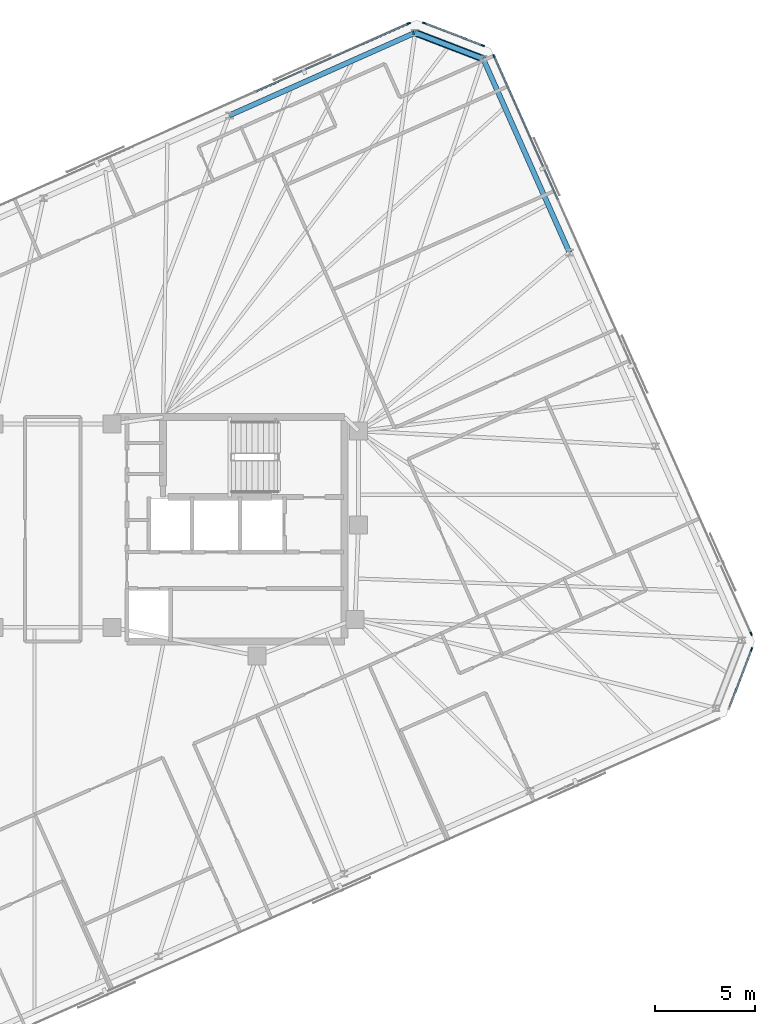
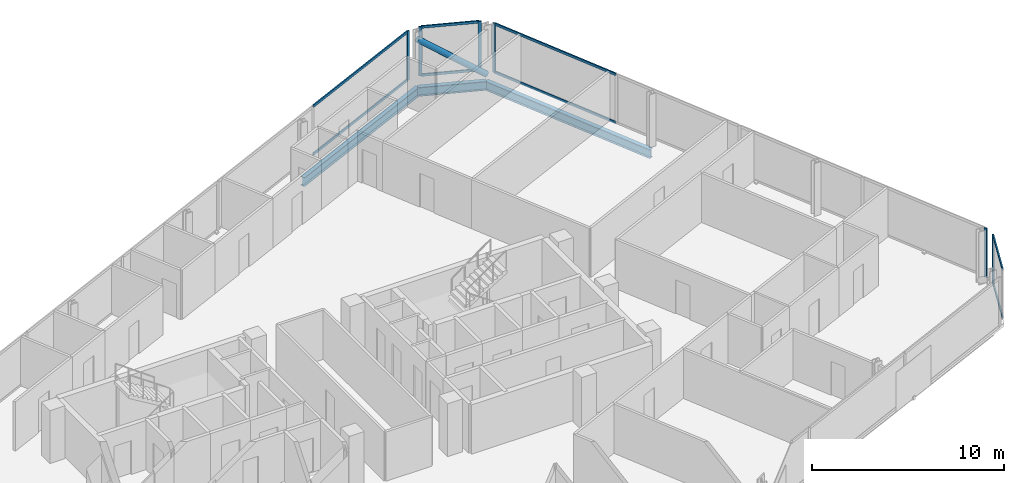
# One storey, part 11 of 18: 15 members, 3 beams, 4 elements without a shape of their own.
"""IFC4 building model written with IfcOpenShell, lengths in metres."""

from ifc_helpers import new_model, si_unit, direction, frame, origin, origin_2d, place, context, subcontext, project, spatial, rectangle, hollow_circle, i_section, extrude, material, material_profile, profile_set, type_object, element, aggregate, save


model = new_model("IFC4")

# Units and contexts
model_context = context("Model", 3, precision=1e-05, world=origin(), true_north=direction((0.0, 1.0)))
body_context = subcontext(model_context, "Body", "Model", "MODEL_VIEW")
ifc_project = project(units=[si_unit("LENGTHUNIT", "METRE"), si_unit("AREAUNIT", "SQUARE_METRE"), si_unit("VOLUMEUNIT", "CUBIC_METRE"), si_unit("PLANEANGLEUNIT", "RADIAN"), si_unit("MASSUNIT", "GRAM", prefix="KILO")], contexts=[model_context])

# Site, building, storey
site_placement = place(None, origin())
site = spatial("IfcSite", under=ifc_project, at=site_placement, CompositionType="ELEMENT")
building_placement = place(site_placement, origin())
building = spatial("IfcBuilding", under=site, at=building_placement, Name="Menara Jurai Vektor", CompositionType="ELEMENT")
storey_placement = place(building_placement, frame((0.0, 0.0, 298.64990234375)))
storey = spatial("IfcBuildingStorey", under=building, at=storey_placement, Name="L80", CompositionType="ELEMENT", Elevation=298.64990234375)

# Curtain wall, member
ifc_material_1 = material(Name="Anodised Pale Aluminium & Low-E Double Glazing", Category="aluminium")
curtain_wall_type = type_object("IfcCurtainWallType", Name="CW-BLK5", PredefinedType="NOTDEFINED", material=ifc_material_1)
curtain_wall_1_placement = place(storey_placement, origin())
curtain_wall_1 = element("IfcCurtainWall", 1, at=curtain_wall_1_placement, inside=storey, type_object=curtain_wall_type, Name="Unitised Curtain Wall L80 F02", PredefinedType="NOTDEFINED")
ifc_material_2 = material(Name="Anodised Pale Aluminium Mullion", Category="aluminium")
ifc_material_profile_1 = material_profile(ifc_material_2, rectangle(XDim=0.074951171875, YDim=0.175048828125, at=origin_2d()), Name="ALU MUL 75x175")
ifc_profile_set_1 = profile_set([ifc_material_profile_1], Name="Anodised Pale Aluminium Mullion")
member_type_1 = type_object("IfcMemberType", Name="CW-BLK5-MUL", PredefinedType="MULLION", material=ifc_profile_set_1)
member_1_placement = place(storey_placement, frame((34.87548828125, -5.997314453125, 0.0), z_axis=(0.0, 0.0, 1.0), x_axis=(-0.933578193639, 0.358373766287, 0.0)))
member_1 = element("IfcMember", 2, at=member_1_placement, type_object=member_type_1, Name="CW-05 mullion 2", PredefinedType="MULLION", context=body_context, shape_type="SweptSolid", body=[
    extrude(rectangle(XDim=0.074951171875, YDim=0.175048828125, at=origin_2d()), origin(), (0.0, 0.0, 1.0), 3.125),
])

# Curtain wall, members
curtain_wall_2_placement = place(storey_placement, origin())
curtain_wall_2 = element("IfcCurtainWall", 3, at=curtain_wall_2_placement, inside=storey, type_object=curtain_wall_type, Name="Unitised Curtain Wall L80 F03", PredefinedType="NOTDEFINED")
member_2_placement = place(storey_placement, frame((34.85546875, -5.22607421875, 0.0), z_axis=(0.0, 0.0, 1.0), x_axis=(-0.913546127706, -0.406735138086, 0.0)))
member_2 = element("IfcMember", 4, at=member_2_placement, type_object=member_type_1, Name="CW-05 mullion 1", PredefinedType="MULLION", context=body_context, shape_type="SweptSolid", body=[
    extrude(rectangle(XDim=0.074951171875, YDim=0.175048828125, at=origin_2d()), origin(), (0.0, 0.0, 1.0), 3.125),
])
member_3_placement = place(storey_placement, frame((22.016845703125, 23.610107421875, 0.0), z_axis=(0.0, 0.0, 1.0), x_axis=(-0.913546127706, -0.406735138086, 0.0)))
member_3 = element("IfcMember", 5, at=member_3_placement, type_object=member_type_1, Name="CW-05 mullion 5", PredefinedType="MULLION", context=body_context, shape_type="SweptSolid", body=[
    extrude(rectangle(XDim=0.074951171875, YDim=0.175048828125, at=origin_2d()), origin(), (0.0, 0.0, 1.0), 3.125),
])

curtain_wall_3_placement = place(storey_placement, origin())
curtain_wall_3 = element("IfcCurtainWall", 6, at=curtain_wall_3_placement, inside=storey, type_object=curtain_wall_type, Name="Unitised Curtain Wall L80 F04", PredefinedType="NOTDEFINED")
member_4_placement = place(storey_placement, frame((21.45703125, 24.14111328125, 0.0), z_axis=(0.0, 0.0, 1.0), x_axis=(-0.358373766287, -0.933578193639, 0.0)))
member_4 = element("IfcMember", 7, at=member_4_placement, type_object=member_type_1, Name="CW-05 mullion 1", PredefinedType="MULLION", context=body_context, shape_type="SweptSolid", body=[
    extrude(rectangle(XDim=0.074951171875, YDim=0.175048828125, at=origin_2d()), origin(), (0.0, 0.0, 1.0), 3.125),
])
member_5_placement = place(storey_placement, frame((18.539794921875, 25.2607421875, 0.0), z_axis=(0.0, 0.0, 1.0), x_axis=(-0.358373766287, -0.933578193639, 0.0)))
member_5 = element("IfcMember", 8, at=member_5_placement, type_object=member_type_1, Name="CW-05 mullion 2", PredefinedType="MULLION", context=body_context, shape_type="SweptSolid", body=[
    extrude(rectangle(XDim=0.074951171875, YDim=0.175048828125, at=origin_2d()), origin(), (0.0, 0.0, 1.0), 3.125),
])

# Curtain wall, member
curtain_wall_4_placement = place(storey_placement, origin())
curtain_wall_4 = element("IfcCurtainWall", 9, at=curtain_wall_4_placement, inside=storey, type_object=curtain_wall_type, Name="Unitised Curtain Wall L80 F05", PredefinedType="NOTDEFINED")
member_6_placement = place(storey_placement, frame((17.768798828125, 25.24072265625, 0.0), z_axis=(0.0, 0.0, 1.0), x_axis=(0.406735498684, -0.913545967158, 0.0)))
member_6 = element("IfcMember", 10, at=member_6_placement, type_object=member_type_1, Name="CW-05 mullion 1", PredefinedType="MULLION", context=body_context, shape_type="SweptSolid", body=[
    extrude(rectangle(XDim=0.074951171875, YDim=0.175048828125, at=origin_2d()), origin(), (0.0, 0.0, 1.0), 3.125),
])

# Member
ifc_material_3 = material(Name="Anodised Pale Aluminium Transom", Category="aluminium")
ifc_material_profile_2 = material_profile(ifc_material_3, rectangle(XDim=0.074951171875, YDim=0.155029296875, at=origin_2d()), Name="ALU TRN 75x155")
ifc_profile_set_2 = profile_set([ifc_material_profile_2], Name="Anodised Pale Aluminium Transom")
member_type_2 = type_object("IfcMemberType", Name="CW-BLK5-TRN", PredefinedType="USERDEFINED", material=ifc_profile_set_2)
member_7_placement = place(storey_placement, frame((33.769287109375, -8.87939453125, 0.03759765625), z_axis=(0.358324523823, 0.933597094911, 0.0), x_axis=(-0.933597094911, 0.358324523823, 0.0)))
member_7 = element("IfcMember", 11, at=member_7_placement, type_object=member_type_2, Name="CW-05 transom 1.1", ObjectType="TRANSOM", PredefinedType="USERDEFINED", context=body_context, shape_type="SweptSolid", body=[
    extrude(rectangle(XDim=0.074951171875, YDim=0.155029296875, at=origin_2d()), origin(), (0.0, 0.0, 1.0), 3.049560546875),
])

member_8_placement = place(storey_placement, frame((33.769287109375, -8.87939453125, 3.087646484375), z_axis=(0.358324523823, 0.933597094911, 0.0), x_axis=(-0.933597094911, 0.358324523823, 0.0)))
member_8 = element("IfcMember", 12, at=member_8_placement, type_object=member_type_2, Name="CW-05 transom 1.2", ObjectType="TRANSOM", PredefinedType="USERDEFINED", context=body_context, shape_type="SweptSolid", body=[
    extrude(rectangle(XDim=0.074951171875, YDim=0.155029296875, at=origin_2d()), origin(), (0.0, 0.0, 1.0), 3.049560546875),
])

aggregate(curtain_wall_1, [member_1, member_7, member_8])

member_9_placement = place(storey_placement, frame((25.20361328125, 16.452392578125, 0.03759765625), z_axis=(-0.406751345283, 0.913538911656, 0.0), x_axis=(-0.913538911656, -0.406751345283, 0.0)))
member_9 = element("IfcMember", 13, at=member_9_placement, type_object=member_type_2, Name="CW-05 transom 4.1", ObjectType="TRANSOM", PredefinedType="USERDEFINED", context=body_context, shape_type="SweptSolid", body=[
    extrude(rectangle(XDim=0.074951171875, YDim=0.155029296875, at=origin_2d()), origin(), (0.0, 0.0, 1.0), 7.79736328125),
])

member_10_placement = place(storey_placement, frame((25.20361328125, 16.452392578125, 3.087646484375), z_axis=(-0.406751345283, 0.913538911656, 0.0), x_axis=(-0.913538911656, -0.406751345283, 0.0)))
member_10 = element("IfcMember", 14, at=member_10_placement, type_object=member_type_2, Name="CW-05 transom 4.2", ObjectType="TRANSOM", PredefinedType="USERDEFINED", context=body_context, shape_type="SweptSolid", body=[
    extrude(rectangle(XDim=0.074951171875, YDim=0.155029296875, at=origin_2d()), origin(), (0.0, 0.0, 1.0), 7.79736328125),
])

aggregate(curtain_wall_2, [member_2, member_3, member_9, member_10])

member_11_placement = place(storey_placement, frame((21.422119140625, 24.154541015625, 0.03759765625), z_axis=(-0.933597094911, 0.358324523823, 0.0), x_axis=(-0.358324523823, -0.933597094911, 0.0)))
member_11 = element("IfcMember", 15, at=member_11_placement, type_object=member_type_2, Name="CW-05 transom 1.1", ObjectType="TRANSOM", PredefinedType="USERDEFINED", context=body_context, shape_type="SweptSolid", body=[
    extrude(rectangle(XDim=0.074951171875, YDim=0.155029296875, at=origin_2d()), origin(), (0.0, 0.0, 1.0), 3.049560546875),
])

member_12_placement = place(storey_placement, frame((21.422119140625, 24.154541015625, 3.087646484375), z_axis=(-0.933597094911, 0.358324523823, 0.0), x_axis=(-0.358324523823, -0.933597094911, 0.0)))
member_12 = element("IfcMember", 16, at=member_12_placement, type_object=member_type_2, Name="CW-05 transom 1.2", ObjectType="TRANSOM", PredefinedType="USERDEFINED", context=body_context, shape_type="SweptSolid", body=[
    extrude(rectangle(XDim=0.074951171875, YDim=0.155029296875, at=origin_2d()), origin(), (0.0, 0.0, 1.0), 3.049560546875),
])

aggregate(curtain_wall_3, [member_4, member_5, member_11, member_12])

member_13_placement = place(storey_placement, frame((17.734375, 25.225341796875, 0.03759765625), z_axis=(-0.913549007168, -0.406728670618, 0.0), x_axis=(0.406728670618, -0.913549007168, 0.0)))
member_13 = element("IfcMember", 17, at=member_13_placement, type_object=member_type_2, Name="CW-05 transom 1.1", ObjectType="TRANSOM", PredefinedType="USERDEFINED", context=body_context, shape_type="SweptSolid", body=[
    extrude(rectangle(XDim=0.074951171875, YDim=0.155029296875, at=origin_2d()), origin(), (0.0, 0.0, 1.0), 8.327392578125),
])

member_14_placement = place(storey_placement, frame((17.734375, 25.225341796875, 3.087646484375), z_axis=(-0.913549007168, -0.406728670618, 0.0), x_axis=(0.406728670618, -0.913549007168, 0.0)))
member_14 = element("IfcMember", 18, at=member_14_placement, type_object=member_type_2, Name="CW-05 transom 1.2", ObjectType="TRANSOM", PredefinedType="USERDEFINED", context=body_context, shape_type="SweptSolid", body=[
    extrude(rectangle(XDim=0.074951171875, YDim=0.155029296875, at=origin_2d()), origin(), (0.0, 0.0, 1.0), 8.327392578125),
])

aggregate(curtain_wall_4, [member_6, member_13, member_14])

ifc_material_4 = material(Name="Steel S460", Category="steel")
ifc_material_profile_3 = material_profile(ifc_material_4, hollow_circle(Radius=0.177734375, WallThickness=0.01611328125, at=origin_2d()), Name="CHS 355.6x16")
ifc_profile_set_3 = profile_set([ifc_material_profile_3], Name="Steel S460")
member_type_3 = type_object("IfcMemberType", Name="STR-BR-356", PredefinedType="BRACE", material=ifc_profile_set_3)
member_15_placement = place(storey_placement, frame((21.4755859375, 23.473388671875, 0.150146484375), z_axis=(-0.757042028889, 0.2906257681, 0.585170085882), x_axis=(-0.358394346877, -0.933570293083, 0.0)))
element("IfcMember", 19, at=member_15_placement, inside=storey, type_object=member_type_3, Name="Exoskeleton Corner Brace L80-2", PredefinedType="BRACE", context=body_context, shape_type="SweptSolid", body=[
    extrude(hollow_circle(Radius=0.177734375, WallThickness=0.01611328125, at=origin_2d()), origin(), (0.0, 0.0, 1.0), 4.48583984375),
])

# Beams
ifc_material_5 = material(Name="Steel S355", Category="steel")
ifc_material_profile_4 = material_profile(ifc_material_5, i_section(OverallWidth=0.260009765625, OverallDepth=0.570068359375, WebThickness=0.013916015625, FlangeThickness=0.02392578125, at=origin_2d()), Name="PG 570x260x145")
ifc_profile_set_4 = profile_set([ifc_material_profile_4], Name="Steel S355")
beam_type = type_object("IfcBeamType", Name="STR-SP-570", PredefinedType="SPANDREL", material=ifc_profile_set_4)
beam_1_placement = place(storey_placement, frame((25.781005859375, 13.80322265625, -0.510009765625), z_axis=(-0.40673543049, 0.91354599752, 0.0), x_axis=(-0.91354599752, -0.40673543049, 0.0)))
element("IfcBeam", 20, at=beam_1_placement, inside=storey, type_object=beam_type, Name="Exoskeleton Spandrel Beam L80-09", PredefinedType="SPANDREL", context=body_context, shape_type="SweptSolid", body=[
    extrude(i_section(OverallWidth=0.260009765625, OverallDepth=0.570068359375, WebThickness=0.013916015625, FlangeThickness=0.02392578125, at=origin_2d()), origin(), (0.0, 0.0, 1.0), 10.585205078125),
])
beam_2_placement = place(storey_placement, frame((21.4755859375, 23.473388671875, -0.510009765625), z_axis=(-0.933570293083, 0.358394346877, 0.0), x_axis=(-0.358394346877, -0.933570293083, 0.0)))
element("IfcBeam", 21, at=beam_2_placement, inside=storey, type_object=beam_type, Name="Exoskeleton Spandrel Beam L80-10", PredefinedType="SPANDREL", context=body_context, shape_type="SweptSolid", body=[
    extrude(i_section(OverallWidth=0.260009765625, OverallDepth=0.570068359375, WebThickness=0.013916015625, FlangeThickness=0.02392578125, at=origin_2d()), origin(), (0.0, 0.0, 1.0), 3.6376953125),
])
beam_3_placement = place(storey_placement, frame((18.07958984375, 24.777099609375, -0.510009765625), z_axis=(-0.913545561407, -0.406736410017, 0.0), x_axis=(0.406736410017, -0.913545561407, 0.0)))
element("IfcBeam", 22, at=beam_3_placement, inside=storey, type_object=beam_type, Name="Exoskeleton Spandrel Beam L80-11", PredefinedType="SPANDREL", context=body_context, shape_type="SweptSolid", body=[
    extrude(i_section(OverallWidth=0.260009765625, OverallDepth=0.570068359375, WebThickness=0.013916015625, FlangeThickness=0.02392578125, at=origin_2d()), origin(), (0.0, 0.0, 1.0), 10.1513671875),
])

save(model, "model.ifc")
